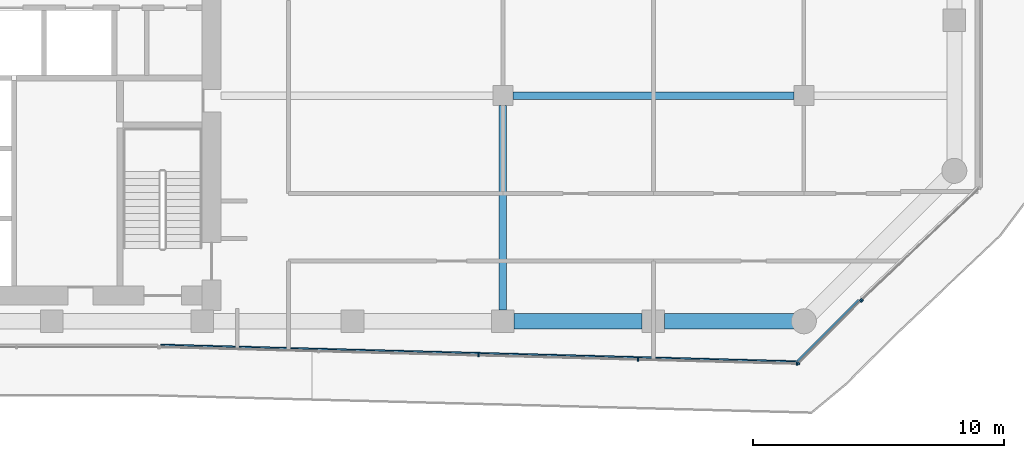
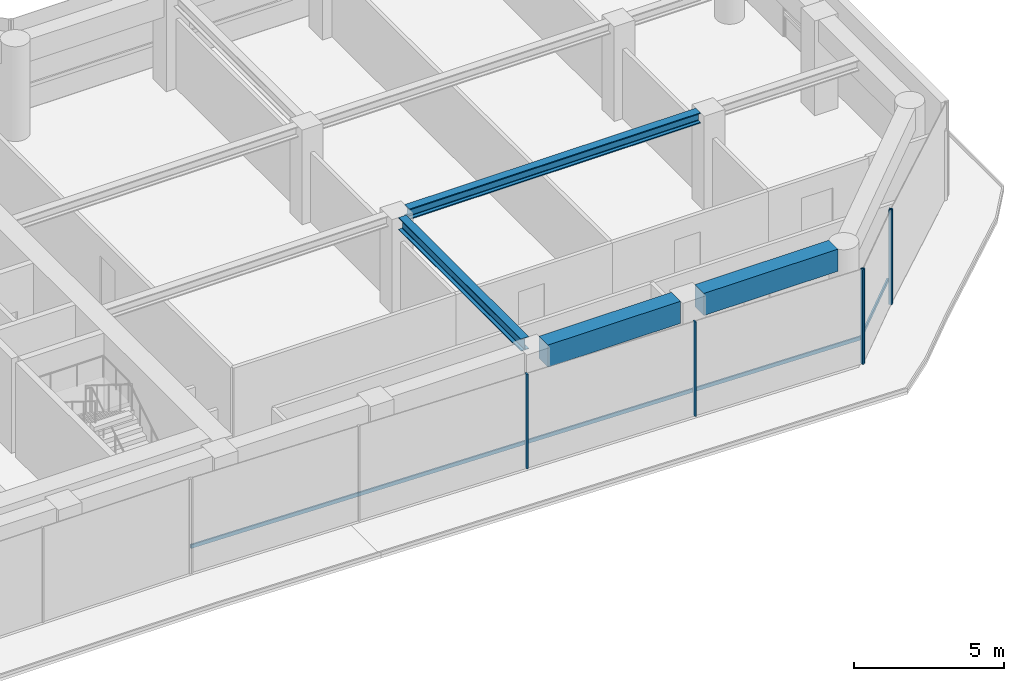
# One storey, part 6 of 23: 8 members, 4 beams, 3 elements without a shape of their own.
"""IFC4 building model written with IfcOpenShell, lengths in metres."""

from ifc_helpers import new_model, si_unit, direction, frame, origin, origin_2d, place, context, subcontext, project, spatial, rectangle, i_section, extrude, material, layer, layer_set, material_profile, profile_set, type_object, element, aggregate, save


model = new_model("IFC4")

# Units and contexts
model_context = context("Model", 3, precision=1e-05, world=origin(), true_north=direction((0.0, 1.0)))
body_context = subcontext(model_context, "Body", "Model", "MODEL_VIEW")
ifc_project = project(units=[si_unit("LENGTHUNIT", "METRE"), si_unit("AREAUNIT", "SQUARE_METRE"), si_unit("VOLUMEUNIT", "CUBIC_METRE"), si_unit("PLANEANGLEUNIT", "RADIAN"), si_unit("MASSUNIT", "GRAM", prefix="KILO")], contexts=[model_context])

# Site, building, storey
site_placement = place(None, origin())
site = spatial("IfcSite", under=ifc_project, at=site_placement, CompositionType="ELEMENT")
building_placement = place(site_placement, origin())
building = spatial("IfcBuilding", under=site, at=building_placement, Name="Welwitschia Terrace Campus", CompositionType="ELEMENT")
storey_placement = place(building_placement, frame((0.0, 0.0, 117.199951171875)))
storey = spatial("IfcBuildingStorey", under=building, at=storey_placement, Name="L26", CompositionType="ELEMENT", Elevation=117.199951171875)

# Beam
ifc_material_1 = material(Name="Steel S355", Category="steel")
ifc_material_profile_1 = material_profile(ifc_material_1, i_section(OverallWidth=0.306884765625, OverallDepth=0.431884765625, WebThickness=0.02099609375, FlangeThickness=0.0400390625, FilletRadius=0.027099609375, at=origin_2d()))
ifc_profile_set_1 = profile_set([ifc_material_profile_1], Name="Steel S355")
beam_type_1 = type_object("IfcBeamType", Name="Interior girder HE 400 M", PredefinedType="BEAM", material=ifc_profile_set_1)
beam_1_placement = place(storey_placement, frame((36.400390625, 13.0, 3.634033203125), z_axis=(1.0, 0.0, 0.0), x_axis=(0.0, 1.0, 0.0)))
element("IfcBeam", 1, at=beam_1_placement, inside=storey, type_object=beam_type_1, Name="Girder GB3", PredefinedType="BEAM", context=body_context, shape_type="SweptSolid", body=[
    extrude(i_section(OverallWidth=0.306884765625, OverallDepth=0.431884765625, WebThickness=0.02099609375, FlangeThickness=0.0400390625, FilletRadius=0.027099609375, at=origin_2d()), origin(), (0.0, 0.0, 1.0), 11.19921875),
])

# Curtain wall, members
ifc_material_2 = material(Name="Bronze anodised aluminium", Category="aluminium")
ifc_layer = layer(ifc_material_2, 0.1201171875)
ifc_layer_set = layer_set([ifc_layer], Name="Bronze anodised aluminium")
curtain_wall_type = type_object("IfcCurtainWallType", Name="Curtain wall CW2 tower 6000", PredefinedType="NOTDEFINED", material=ifc_layer_set)
curtain_wall_1_placement = place(storey_placement, origin())
curtain_wall_1 = element("IfcCurtainWall", 2, at=curtain_wall_1_placement, inside=storey, type_object=curtain_wall_type, Name="CW L26.3.0", PredefinedType="NOTDEFINED")
ifc_material_3 = material(Name="Bronze anodised aluminium", Category="aluminium")
ifc_material_profile_2 = material_profile(ifc_material_3, rectangle(XDim=0.1201171875, YDim=0.06005859375, at=origin_2d()))
ifc_profile_set_2 = profile_set([ifc_material_profile_2], Name="Bronze anodised aluminium")
member_type_1 = type_object("IfcMemberType", Name="Mullion 60x120", PredefinedType="MULLION", material=ifc_profile_set_2)
member_1_placement = place(storey_placement, frame((35.021484375, 2.636474609375, 0.0), z_axis=(0.0, 0.0, 1.0), x_axis=(0.026176948308, 0.999657324976, 0.0)))
member_1 = element("IfcMember", 3, at=member_1_placement, type_object=member_type_1, Name="Mullion L26.3.0.2", PredefinedType="MULLION", context=body_context, shape_type="SweptSolid", body=[
    extrude(rectangle(XDim=0.1201171875, YDim=0.06005859375, at=origin_2d()), origin(), (0.0, 0.0, 1.0), 3.85009765625),
])
member_2_placement = place(storey_placement, frame((41.390380859375, 2.4697265625, 0.0), z_axis=(0.0, 0.0, 1.0), x_axis=(0.026176948308, 0.999657324976, 0.0)))
member_2 = element("IfcMember", 4, at=member_2_placement, type_object=member_type_1, Name="Mullion L26.3.0.3", PredefinedType="MULLION", context=body_context, shape_type="SweptSolid", body=[
    extrude(rectangle(XDim=0.1201171875, YDim=0.06005859375, at=origin_2d()), origin(), (0.0, 0.0, 1.0), 3.85009765625),
])
member_3_placement = place(storey_placement, frame((47.7294921875, 2.3037109375, 0.0), z_axis=(0.0, 0.0, 1.0), x_axis=(0.026176948308, 0.999657324976, 0.0)))
member_3 = element("IfcMember", 5, at=member_3_placement, type_object=member_type_1, Name="Mullion L26.3.0.4", PredefinedType="MULLION", context=body_context, shape_type="SweptSolid", body=[
    extrude(rectangle(XDim=0.1201171875, YDim=0.06005859375, at=origin_2d()), origin(), (0.0, 0.0, 1.0), 3.85009765625),
])

curtain_wall_2_placement = place(storey_placement, origin())
curtain_wall_2 = element("IfcCurtainWall", 6, at=curtain_wall_2_placement, inside=storey, type_object=curtain_wall_type, Name="CW L26.4.0", PredefinedType="NOTDEFINED")
member_4_placement = place(storey_placement, frame((47.78076171875, 2.32421875, 0.0), z_axis=(0.0, 0.0, 1.0), x_axis=(-0.707106781187, 0.707106781187, 0.0)))
member_4 = element("IfcMember", 7, at=member_4_placement, type_object=member_type_1, Name="Mullion L26.4.0.0", PredefinedType="MULLION", context=body_context, shape_type="SweptSolid", body=[
    extrude(rectangle(XDim=0.1201171875, YDim=0.06005859375, at=origin_2d()), origin(), (0.0, 0.0, 1.0), 3.85009765625),
])
member_5_placement = place(storey_placement, frame((50.2705078125, 4.813720703125, 0.0), z_axis=(0.0, 0.0, 1.0), x_axis=(-0.707106781187, 0.707106781187, 0.0)))
member_5 = element("IfcMember", 8, at=member_5_placement, type_object=member_type_1, Name="Mullion L26.4.0.1", PredefinedType="MULLION", context=body_context, shape_type="SweptSolid", body=[
    extrude(rectangle(XDim=0.1201171875, YDim=0.06005859375, at=origin_2d()), origin(), (0.0, 0.0, 1.0), 3.85009765625),
])

# Curtain wall, member
curtain_wall_3_placement = place(storey_placement, origin())
curtain_wall_3 = element("IfcCurtainWall", 9, at=curtain_wall_3_placement, inside=storey, type_object=curtain_wall_type, Name="CW L26.5.0", PredefinedType="NOTDEFINED")
member_6_placement = place(storey_placement, frame((50.3134765625, 4.855712890625, 0.0), z_axis=(0.0, 0.0, 1.0), x_axis=(-0.688354575694, 0.725374371012, 0.0)))
member_6 = element("IfcMember", 10, at=member_6_placement, type_object=member_type_1, Name="Mullion L26.5.0.0", PredefinedType="MULLION", context=body_context, shape_type="SweptSolid", body=[
    extrude(rectangle(XDim=0.1201171875, YDim=0.06005859375, at=origin_2d()), origin(), (0.0, 0.0, 1.0), 3.85009765625),
])
aggregate(curtain_wall_3, [member_6])

# Beams
ifc_material_4 = material(Name="Steel S355", Category="steel")
ifc_material_profile_3 = material_profile(ifc_material_4, i_section(OverallWidth=0.300048828125, OverallDepth=0.5, WebThickness=0.014404296875, FlangeThickness=0.028076171875, FilletRadius=0.027099609375, at=origin_2d()))
ifc_profile_set_3 = profile_set([ifc_material_profile_3], Name="Steel S355")
beam_type_2 = type_object("IfcBeamType", Name="Primary beam HE 500 B", PredefinedType="BEAM", material=ifc_profile_set_3)
beam_2_placement = place(storey_placement, frame((36.0, 4.450439453125, 3.60009765625), z_axis=(0.0, 1.0, 0.0), x_axis=(-1.0, 0.0, 0.0)))
element("IfcBeam", 11, at=beam_2_placement, inside=storey, type_object=beam_type_2, Name="Primary beam PB3", PredefinedType="BEAM", context=body_context, shape_type="SweptSolid", body=[
    extrude(i_section(OverallWidth=0.300048828125, OverallDepth=0.5, WebThickness=0.014404296875, FlangeThickness=0.028076171875, FilletRadius=0.027099609375, at=origin_2d()), origin(), (0.0, 0.0, 1.0), 8.149169921875),
])
ifc_material_5 = material(Name="Concrete C60/75", Category="concrete")
ifc_material_profile_4 = material_profile(ifc_material_5, rectangle(XDim=0.60009765625, YDim=0.89990234375, at=origin_2d()))
ifc_profile_set_4 = profile_set([ifc_material_profile_4], Name="Concrete C60/75")
beam_type_3 = type_object("IfcBeamType", Name="Ring spandrel 600x900", PredefinedType="SPANDREL", material=ifc_profile_set_4)
beam_3_placement = place(storey_placement, frame((36.450439453125, 4.0, 3.400146484375), z_axis=(1.0, 0.0, 0.0), x_axis=(0.0, 1.0, 0.0)))
element("IfcBeam", 12, at=beam_3_placement, inside=storey, type_object=beam_type_3, Name="Spandrel SP2", PredefinedType="SPANDREL", context=body_context, shape_type="SweptSolid", body=[
    extrude(rectangle(XDim=0.60009765625, YDim=0.89990234375, at=origin_2d()), origin(), (0.0, 0.0, 1.0), 5.09912109375),
])
beam_4_placement = place(storey_placement, frame((42.450439453125, 4.0, 3.400146484375), z_axis=(1.0, 0.0, 0.0), x_axis=(0.0, 1.0, 0.0)))
element("IfcBeam", 13, at=beam_4_placement, inside=storey, type_object=beam_type_3, Name="Spandrel SP2", PredefinedType="SPANDREL", context=body_context, shape_type="SweptSolid", body=[
    extrude(rectangle(XDim=0.60009765625, YDim=0.89990234375, at=origin_2d()), origin(), (0.0, 0.0, 1.0), 5.149169921875),
])

# Member
ifc_material_6 = material(Name="Bronze anodised aluminium", Category="aluminium")
ifc_material_profile_5 = material_profile(ifc_material_6, rectangle(XDim=0.06005859375, YDim=0.14990234375, at=origin_2d()))
ifc_profile_set_5 = profile_set([ifc_material_profile_5], Name="Bronze anodised aluminium")
member_type_2 = type_object("IfcMemberType", Name="Transom 60x150", PredefinedType="USERDEFINED", material=ifc_profile_set_5)
member_7_placement = place(storey_placement, frame((22.345703125, 3.058349609375, 1.0), z_axis=(0.999657487067, -0.02617075754, 0.0), x_axis=(0.02617075754, 0.999657487067, 0.0)))
member_7 = element("IfcMember", 14, at=member_7_placement, type_object=member_type_2, Name="Transom L26.3.0", ObjectType="TRANSOM", PredefinedType="USERDEFINED", context=body_context, shape_type="SweptSolid", body=[
    extrude(rectangle(XDim=0.06005859375, YDim=0.14990234375, at=origin_2d()), origin(), (0.0, 0.0, 1.0), 25.364990234375),
])

aggregate(curtain_wall_1, [member_1, member_2, member_3, member_7])

member_8_placement = place(storey_placement, frame((47.73828125, 2.408935546875, 1.0), z_axis=(0.707106781187, 0.707106781187, 0.0), x_axis=(-0.707106781187, 0.707106781187, 0.0)))
member_8 = element("IfcMember", 15, at=member_8_placement, type_object=member_type_2, Name="Transom L26.4.0", ObjectType="TRANSOM", PredefinedType="USERDEFINED", context=body_context, shape_type="SweptSolid", body=[
    extrude(rectangle(XDim=0.06005859375, YDim=0.14990234375, at=origin_2d()), origin(), (0.0, 0.0, 1.0), 3.4609375),
])

aggregate(curtain_wall_2, [member_4, member_5, member_8])

save(model, "model.ifc")
